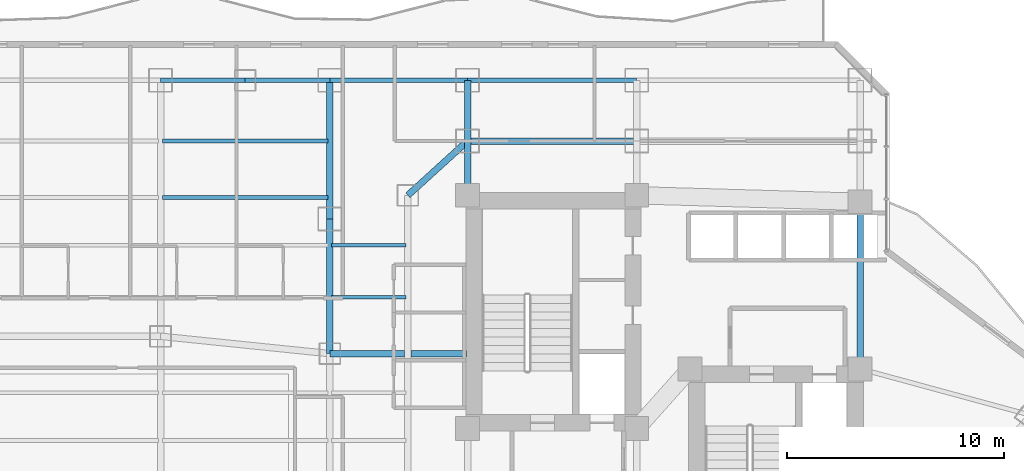
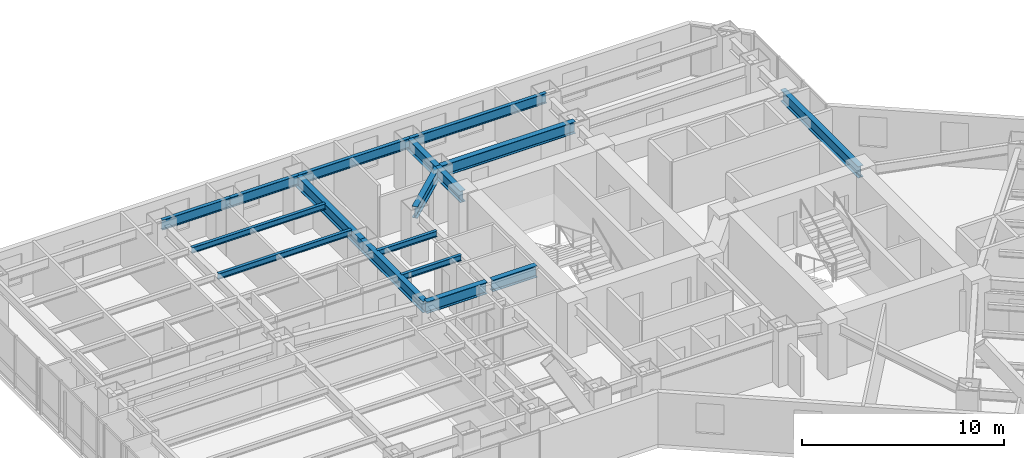
# One storey, part 17 of 33: 17 beams.
"""IFC4 building model written with IfcOpenShell, lengths in metres."""

import ifcopenshell
import ifcopenshell.guid

model = None  # the IFC model being written
_history = None  # IfcOwnerHistory: only IFC2X3 demands one
_inside = {}  # id of a spatial element -> (the spatial element, [elements in it])
_under = {}  # id of a project, library or spatial element -> (it, [spatial elements below it])
_declared = {}  # id of a project -> (the project, [libraries it declares])
_typed = {}  # id of a type object -> (the type object, [elements of that type])
_made_of = {}  # id of a material, layer set ... -> (it, [elements and type objects made of it])


def new_model(schema):
    """Start an empty IFC model of exactly this schema.

    Asked for "IFC4X3", IfcOpenShell would pick the latest addendum, in which some entities
    have other attributes; the version numbers below select the first issue.
    IFC2X3 requires an IfcOwnerHistory on every rooted entity: one is made here for all.
    """
    global model, _history
    if schema == "IFC4X3":
        model = ifcopenshell.file(schema_version=(4, 3, 0, 0))
    else:
        model = ifcopenshell.file(schema=schema)
    _inside.clear()
    _under.clear()
    _declared.clear()
    _typed.clear()
    _made_of.clear()
    _history = None
    if model.schema == "IFC2X3":
        org = make("IfcOrganization", Name="unknown")
        user = make(
            "IfcPersonAndOrganization",
            ThePerson=make("IfcPerson", FamilyName="unknown"),
            TheOrganization=org,
        )
        app = make(
            "IfcApplication",
            ApplicationDeveloper=org,
            Version="unknown",
            ApplicationFullName="unknown",
            ApplicationIdentifier="unknown",
        )
        _history = make(
            "IfcOwnerHistory",
            OwningUser=user,
            OwningApplication=app,
            ChangeAction="ADDED",
            CreationDate=0,
        )
    return model


def make(cls, **values):
    """One entity of the class cls with the attributes given. An attribute that is None is left unset."""
    return model.create_entity(
        cls, **{name: value for name, value in values.items() if value is not None}
    )


def rooted(cls, **values):
    """An entity with a GlobalId (a new one), such as an element, a storey or a relation."""
    return make(cls, GlobalId=ifcopenshell.guid.new(), OwnerHistory=_history, **values)


def si_unit(unit_type, name, prefix=None):
    """IfcSIUnit, for example si_unit("LENGTHUNIT", "METRE", prefix="MILLI")."""
    return make("IfcSIUnit", UnitType=unit_type, Prefix=prefix, Name=name)


def assignment(units):
    """IfcUnitAssignment: the units of a project."""
    return None if units is None else make("IfcUnitAssignment", Units=units)


def point(xyz):
    """IfcCartesianPoint."""
    return None if xyz is None else make("IfcCartesianPoint", Coordinates=xyz)


def direction(xyz):
    """IfcDirection."""
    return None if xyz is None else make("IfcDirection", DirectionRatios=xyz)


def frame(location, z_axis=None, x_axis=None):
    """IfcAxis2Placement3D, a coordinate frame: its origin and axes. An axis left out is left unset."""
    return make(
        "IfcAxis2Placement3D",
        Location=point(location),
        Axis=direction(z_axis),
        RefDirection=direction(x_axis),
    )


def frame_2d(location, x_axis=None):
    """IfcAxis2Placement2D, a coordinate frame in the plane: its origin and x axis."""
    return make(
        "IfcAxis2Placement2D", Location=point(location), RefDirection=direction(x_axis)
    )


def origin():
    """The frame at (0, 0, 0) with its axes left unset."""
    return frame((0.0, 0.0, 0.0))


def origin_2d():
    """The frame at (0, 0) in the plane with its x axis left unset."""
    return frame_2d((0.0, 0.0))


def place(relative_to, where):
    """IfcLocalPlacement: puts the frame where relative to a parent placement (None: the world)."""
    return make(
        "IfcLocalPlacement", PlacementRelTo=relative_to, RelativePlacement=where
    )


def context(
    kind, dimensions, precision=None, world=None, true_north=None, identifier=None
):
    """IfcGeometricRepresentationContext, for example the 3D "Model" context."""
    return make(
        "IfcGeometricRepresentationContext",
        ContextIdentifier=identifier,
        ContextType=kind,
        CoordinateSpaceDimension=dimensions,
        Precision=precision,
        WorldCoordinateSystem=world,
        TrueNorth=true_north,
    )


def subcontext(parent, identifier, kind, view, scale=None):
    """IfcGeometricRepresentationSubContext, for example "Body" below "Model"."""
    return make(
        "IfcGeometricRepresentationSubContext",
        ContextIdentifier=identifier,
        ContextType=kind,
        ParentContext=parent,
        TargetScale=scale,
        TargetView=view,
    )


def project(units=None, contexts=None):
    """IfcProject with its units and contexts."""
    return rooted(
        "IfcProject",
        Name="project",
        RepresentationContexts=contexts,
        UnitsInContext=assignment(units),
    )


def spatial(cls, under=None, at=None, **own):
    """A site, building, storey or space (cls), placed at a placement, below another one or the project."""
    s = rooted(cls, ObjectPlacement=at, **own)
    if under is not None:
        _under.setdefault(under.id(), (under, []))[1].append(s)
    return s


def profile(cls, at=None, kind="AREA", **sizes):
    """A parametric profile (cls). Its sizes go by their IFC names, for example OverallWidth=200.0."""
    return make(cls, ProfileType=kind, Position=at, **sizes)


def i_section(**sizes):
    """IfcIShapeProfileDef."""
    return profile("IfcIShapeProfileDef", **sizes)


def extrude(swept, where, along, depth):
    """IfcExtrudedAreaSolid: the profile swept, set in the frame where, extruded along a direction by depth."""
    return make(
        "IfcExtrudedAreaSolid",
        SweptArea=swept,
        Position=where,
        ExtrudedDirection=direction(along),
        Depth=depth,
    )


def shape(context_of_items, identifier, shape_type, items):
    """IfcShapeRepresentation: the items that make up one representation, for example the "Body"."""
    return make(
        "IfcShapeRepresentation",
        ContextOfItems=context_of_items,
        RepresentationIdentifier=identifier,
        RepresentationType=shape_type,
        Items=items,
    )


def material(Name=None, Category=None):
    """IfcMaterial."""
    return make("IfcMaterial", Name=Name, Category=Category)


def material_profile(
    of_material, cross_section, Name=None, Category=None, Priority=None
):
    """IfcMaterialProfile: a cross section and its material."""
    return make(
        "IfcMaterialProfile",
        Name=Name,
        Material=of_material,
        Profile=cross_section,
        Priority=Priority,
        Category=Category,
    )


def profile_set(profiles, Name=None, composite=None):
    """IfcMaterialProfileSet."""
    return make(
        "IfcMaterialProfileSet",
        Name=Name,
        MaterialProfiles=profiles,
        CompositeProfile=composite,
    )


def made_of(thing, what):
    """Note that an element or type object is made of a material, layer set ...; save() writes the relation."""
    if what is not None:
        _made_of.setdefault(what.id(), (what, []))[1].append(thing)
    return thing


def type_object(cls, material=None, **own):
    """A type object (cls), such as IfcWallType, which elements share."""
    return made_of(rooted(cls, **own), material)


def element(
    cls,
    number,
    at=None,
    inside=None,
    cuts=None,
    type_object=None,
    material=None,
    context=None,
    identifier="Body",
    shape_type=None,
    held_by="IfcProductDefinitionShape",
    body=None,
    shapes=None,
    **own,
):
    """One element of the class cls, such as IfcWall. Its Tag is "e" and its number.

    at: its placement. inside: the storey or other place that contains it. cuts: it is an
    opening in that element (IfcRelVoidsElement). A single representation is given by context,
    identifier, shape_type and body (its items); several are given by shapes. held_by: the class
    of the entity that holds the representations. save() writes the other relations.
    """
    e = rooted(cls, Tag="e%d" % number, ObjectPlacement=at, **own)
    if body is not None:
        shapes = [shape(context, identifier, shape_type, body)]
    if shapes is not None:
        e.Representation = make(held_by, Representations=shapes)
    if inside is not None:
        _inside.setdefault(inside.id(), (inside, []))[1].append(e)
    if cuts is not None:
        rooted(
            "IfcRelVoidsElement", RelatingBuildingElement=cuts, RelatedOpeningElement=e
        )
    if type_object is not None:
        _typed.setdefault(type_object.id(), (type_object, []))[1].append(e)
    return made_of(e, material)


def aggregate(whole, parts):
    """IfcRelAggregates: a whole, such as a stair, and the parts it consists of."""
    return rooted("IfcRelAggregates", RelatingObject=whole, RelatedObjects=parts)


def save(model, path):
    """Write the relations noted so far, then the file.

    IfcRelAggregates (storeys below a building ...), IfcRelContainedInSpatialStructure (elements
    in a storey), IfcRelDefinesByType, IfcRelAssociatesMaterial and IfcRelDeclares: one each for
    every whole, place, type object, material and project.
    """
    for whole, parts in _under.values():
        aggregate(whole, parts)
    for where, things in _inside.values():
        rooted(
            "IfcRelContainedInSpatialStructure",
            RelatedElements=things,
            RelatingStructure=where,
        )
    for kind, things in _typed.values():
        rooted("IfcRelDefinesByType", RelatedObjects=things, RelatingType=kind)
    for what, things in _made_of.values():
        rooted("IfcRelAssociatesMaterial", RelatedObjects=things, RelatingMaterial=what)
    for by, libraries in _declared.values():
        rooted("IfcRelDeclares", RelatingContext=by, RelatedDefinitions=libraries)
    model.write(path)


model = new_model("IFC4")

# Units and contexts
model_context = context("Model", 3, precision=1e-05, world=origin(), true_north=direction((0.0, 1.0)))
body_context = subcontext(model_context, "Body", "Model", "MODEL_VIEW")
ifc_project = project(units=[si_unit("LENGTHUNIT", "METRE"), si_unit("AREAUNIT", "SQUARE_METRE"), si_unit("VOLUMEUNIT", "CUBIC_METRE"), si_unit("PLANEANGLEUNIT", "RADIAN"), si_unit("MASSUNIT", "GRAM", prefix="KILO")], contexts=[model_context])

# Site, building, storey
site_placement = place(None, origin())
site = spatial("IfcSite", under=ifc_project, at=site_placement, CompositionType="ELEMENT")
building_placement = place(site_placement, origin())
building = spatial("IfcBuilding", under=site, at=building_placement, Name="Hatsunagi Terrace Concourse", CompositionType="ELEMENT")
storey_placement = place(building_placement, frame((0.0, 0.0, 56.699951171875)))
storey = spatial("IfcBuildingStorey", under=building, at=storey_placement, Name="L14", CompositionType="ELEMENT", Elevation=56.699951171875)

# Beams
ifc_material_1 = material(Name="Steel SN490B", Category="steel")
ifc_material_profile_1 = material_profile(ifc_material_1, i_section(OverallWidth=0.300048828125, OverallDepth=0.699951171875, WebThickness=0.012939453125, FlangeThickness=0.02392578125, FilletRadius=0.02197265625, at=origin_2d()), Name="H-700x300x13x24")
ifc_profile_set_1 = profile_set([ifc_material_profile_1], Name="Steel SN490B")
beam_type_1 = type_object("IfcBeamType", Name="HotelFloorGirder_H_700x300", PredefinedType="BEAM", material=ifc_profile_set_1)
beam_1_placement = place(storey_placement, frame((43.64990234375, 35.300048828125, 2.780029296875), z_axis=(0.0, 1.0, 0.0), x_axis=(-1.0, 0.0, 0.0)))
element("IfcBeam", 1, at=beam_1_placement, inside=storey, type_object=beam_type_1, Name="Beam G-04 BM-L14-CBK3", PredefinedType="BEAM", context=body_context, shape_type="SweptSolid", body=[
    extrude(i_section(OverallWidth=0.300048828125, OverallDepth=0.699951171875, WebThickness=0.012939453125, FlangeThickness=0.02392578125, FilletRadius=0.02197265625, at=origin_2d()), origin(), (0.0, 0.0, 1.0), 7.699951171875),
])
beam_2_placement = place(storey_placement, frame((25.550048828125, 43.300048828125, 2.780029296875), z_axis=(0.0, 1.0, 0.0), x_axis=(-1.0, 0.0, 0.0)))
element("IfcBeam", 2, at=beam_2_placement, inside=storey, type_object=beam_type_1, Name="Beam G-04 BM-L14-CN1", PredefinedType="BEAM", context=body_context, shape_type="SweptSolid", body=[
    extrude(i_section(OverallWidth=0.300048828125, OverallDepth=0.699951171875, WebThickness=0.012939453125, FlangeThickness=0.02392578125, FilletRadius=0.02197265625, at=origin_2d()), origin(), (0.0, 0.0, 1.0), 2.5),
])
beam_3_placement = place(storey_placement, frame((25.550048828125, 45.800048828125, 2.780029296875), z_axis=(1.0, 0.0, 0.0), x_axis=(0.0, 1.0, 0.0)))
element("IfcBeam", 3, at=beam_3_placement, inside=storey, type_object=beam_type_1, Name="Beam G-04 BM-L14-CNEW1", PredefinedType="BEAM", context=body_context, shape_type="SweptSolid", body=[
    extrude(i_section(OverallWidth=0.300048828125, OverallDepth=0.699951171875, WebThickness=0.012939453125, FlangeThickness=0.02392578125, FilletRadius=0.02197265625, at=origin_2d()), origin(), (0.0, 0.0, 1.0), 7.800048828125),
])
beam_4_placement = place(storey_placement, frame((25.550048828125, 45.800048828125, 2.780029296875), z_axis=(0.0, 1.0, 0.0), x_axis=(-1.0, 0.0, 0.0)))
element("IfcBeam", 4, at=beam_4_placement, inside=storey, type_object=beam_type_1, Name="Beam G-04 BM-L14-KN-WN4", PredefinedType="BEAM", context=body_context, shape_type="SweptSolid", body=[
    extrude(i_section(OverallWidth=0.300048828125, OverallDepth=0.699951171875, WebThickness=0.012939453125, FlangeThickness=0.02392578125, FilletRadius=0.02197265625, at=origin_2d()), origin(), (0.0, 0.0, 1.0), 2.800048828125),
])
beam_5_placement = place(storey_placement, frame((22.800048828125, 43.300048828125, 2.780029296875), z_axis=(0.739940073396, 0.672672793996, 0.0), x_axis=(-0.672672793996, 0.739940073396, 0.0)))
element("IfcBeam", 5, at=beam_5_placement, inside=storey, type_object=beam_type_1, Name="Beam G-04 BM-L14-CWEW-N", PredefinedType="BEAM", context=body_context, shape_type="SweptSolid", body=[
    extrude(i_section(OverallWidth=0.300048828125, OverallDepth=0.699951171875, WebThickness=0.012939453125, FlangeThickness=0.02392578125, FilletRadius=0.02197265625, at=origin_2d()), origin(), (0.0, 0.0, 1.0), 3.716552734375),
])
beam_6_placement = place(storey_placement, frame((19.199951171875, 36.0, 2.780029296875), z_axis=(0.0, 1.0, 0.0), x_axis=(-1.0, 0.0, 0.0)))
element("IfcBeam", 6, at=beam_6_placement, inside=storey, type_object=beam_type_1, Name="Beam G-04 BM-L14-NS-19-36", PredefinedType="BEAM", context=body_context, shape_type="SweptSolid", body=[
    extrude(i_section(OverallWidth=0.300048828125, OverallDepth=0.699951171875, WebThickness=0.012939453125, FlangeThickness=0.02392578125, FilletRadius=0.02197265625, at=origin_2d()), origin(), (0.0, 0.0, 1.0), 6.199951171875),
])
beam_7_placement = place(storey_placement, frame((19.199951171875, 42.199951171875, 2.780029296875), z_axis=(0.0, 1.0, 0.0), x_axis=(-1.0, 0.0, 0.0)))
element("IfcBeam", 7, at=beam_7_placement, inside=storey, type_object=beam_type_1, Name="Beam G-04 BM-L14-NS-19-42", PredefinedType="BEAM", context=body_context, shape_type="SweptSolid", body=[
    extrude(i_section(OverallWidth=0.300048828125, OverallDepth=0.699951171875, WebThickness=0.012939453125, FlangeThickness=0.02392578125, FilletRadius=0.02197265625, at=origin_2d()), origin(), (0.0, 0.0, 1.0), 6.400146484375),
])
beam_8_placement = place(storey_placement, frame((19.199951171875, 36.0, 2.780029296875), z_axis=(1.0, 0.0, 0.0), x_axis=(0.0, 1.0, 0.0)))
element("IfcBeam", 8, at=beam_8_placement, inside=storey, type_object=beam_type_1, Name="Beam G-04 BM-L14-EW-3", PredefinedType="BEAM", context=body_context, shape_type="SweptSolid", body=[
    extrude(i_section(OverallWidth=0.300048828125, OverallDepth=0.699951171875, WebThickness=0.012939453125, FlangeThickness=0.02392578125, FilletRadius=0.02197265625, at=origin_2d()), origin(), (0.0, 0.0, 1.0), 3.449951171875),
])
beam_9_placement = place(storey_placement, frame((22.949951171875, 36.0, 2.780029296875), z_axis=(1.0, 0.0, 0.0), x_axis=(0.0, 1.0, 0.0)))
element("IfcBeam", 9, at=beam_9_placement, inside=storey, type_object=beam_type_1, Name="Beam G-04 BM-L14-EW-4", PredefinedType="BEAM", context=body_context, shape_type="SweptSolid", body=[
    extrude(i_section(OverallWidth=0.300048828125, OverallDepth=0.699951171875, WebThickness=0.012939453125, FlangeThickness=0.02392578125, FilletRadius=0.02197265625, at=origin_2d()), origin(), (0.0, 0.0, 1.0), 2.56005859375),
])
ifc_material_2 = material(Name="Steel SN490B", Category="steel")
ifc_material_profile_2 = material_profile(ifc_material_2, i_section(OverallWidth=0.175048828125, OverallDepth=0.35009765625, WebThickness=0.007080078125, FlangeThickness=0.010986328125, FilletRadius=0.012939453125, at=origin_2d()), Name="H-350x175x7x11")
ifc_profile_set_2 = profile_set([ifc_material_profile_2], Name="Steel SN490B")
beam_type_2 = type_object("IfcBeamType", Name="HotelJoist_H_350x175", PredefinedType="JOIST", material=ifc_profile_set_2)
for number, where, z_axis, x_axis, name in (
    (10, (19.284912109375, 38.60009765625, 2.955078125), (1.0, 0.0, 0.0), (0.0, 1.0, 0.0), "Beam J-02 J-L14-W-19-386"),
    (11, (19.284912109375, 41.0, 2.955078125), (1.0, 0.0, 0.0), (0.0, 1.0, 0.0), "Beam J-02 J-L14-W-19-410"),
):
    element("IfcBeam", number, at=place(storey_placement, frame(where, z_axis=z_axis, x_axis=x_axis)), inside=storey, type_object=beam_type_2, Name=name, PredefinedType="JOIST", context=body_context, shape_type="SweptSolid", body=[
        extrude(i_section(OverallWidth=0.175048828125, OverallDepth=0.35009765625, WebThickness=0.007080078125, FlangeThickness=0.010986328125, FilletRadius=0.012939453125, at=origin_2d()), origin(), (0.0, 0.0, 1.0), 3.43017578125),
    ])
for number, where, z_axis, x_axis, name in (
    (12, (11.485107421875, 43.199951171875, 2.955078125), (1.0, 0.0, 0.0), (0.0, 1.0, 0.0), "Beam J-02 J-L14-W-11-432"),
    (13, (11.485107421875, 45.800048828125, 2.955078125), (1.0, 0.0, 0.0), (0.0, 1.0, 0.0), "Beam J-02 J-L14-W-11-458"),
):
    element("IfcBeam", number, at=place(storey_placement, frame(where, z_axis=z_axis, x_axis=x_axis)), inside=storey, type_object=beam_type_2, Name=name, PredefinedType="JOIST", context=body_context, shape_type="SweptSolid", body=[
        extrude(i_section(OverallWidth=0.175048828125, OverallDepth=0.35009765625, WebThickness=0.007080078125, FlangeThickness=0.010986328125, FilletRadius=0.012939453125, at=origin_2d()), origin(), (0.0, 0.0, 1.0), 7.6298828125),
    ])
ifc_material_3 = material(Name="Steel SN490B", Category="steel")
ifc_material_profile_3 = material_profile(ifc_material_3, i_section(OverallWidth=0.199951171875, OverallDepth=0.60009765625, WebThickness=0.010986328125, FlangeThickness=0.01708984375, FilletRadius=0.01806640625, at=origin_2d()), Name="H-600x200x11x17")
ifc_profile_set_3 = profile_set([ifc_material_profile_3], Name="Steel SN490B")
beam_type_3 = type_object("IfcBeamType", Name="PerimeterSpandrel_H_600x200", PredefinedType="SPANDREL", material=ifc_profile_set_3)
beam_10_placement = place(storey_placement, frame((11.39990234375, 48.60009765625, 2.830078125), z_axis=(1.0, 0.0, 0.0), x_axis=(0.0, 1.0, 0.0)))
element("IfcBeam", 14, at=beam_10_placement, inside=storey, type_object=beam_type_3, Name="Beam SP-01 BM-L14-WN-11", PredefinedType="SPANDREL", context=body_context, shape_type="SweptSolid", body=[
    extrude(i_section(OverallWidth=0.199951171875, OverallDepth=0.60009765625, WebThickness=0.010986328125, FlangeThickness=0.01708984375, FilletRadius=0.01806640625, at=origin_2d()), origin(), (0.0, 0.0, 1.0), 3.900146484375),
])
beam_11_placement = place(storey_placement, frame((15.300048828125, 48.60009765625, 2.830078125), z_axis=(1.0, 0.0, 0.0), x_axis=(0.0, 1.0, 0.0)))
element("IfcBeam", 15, at=beam_11_placement, inside=storey, type_object=beam_type_3, Name="Beam SP-01 BM-L14-WN-15", PredefinedType="SPANDREL", context=body_context, shape_type="SweptSolid", body=[
    extrude(i_section(OverallWidth=0.199951171875, OverallDepth=0.60009765625, WebThickness=0.010986328125, FlangeThickness=0.01708984375, FilletRadius=0.01806640625, at=origin_2d()), origin(), (0.0, 0.0, 1.0), 3.89990234375),
])
beam_12_placement = place(storey_placement, frame((19.199951171875, 48.60009765625, 2.830078125), z_axis=(1.0, 0.0, 0.0), x_axis=(0.0, 1.0, 0.0)))
element("IfcBeam", 16, at=beam_12_placement, inside=storey, type_object=beam_type_3, Name="Beam SP-01 BM-L14-WN-19", PredefinedType="SPANDREL", context=body_context, shape_type="SweptSolid", body=[
    extrude(i_section(OverallWidth=0.199951171875, OverallDepth=0.60009765625, WebThickness=0.010986328125, FlangeThickness=0.01708984375, FilletRadius=0.01806640625, at=origin_2d()), origin(), (0.0, 0.0, 1.0), 6.35009765625),
])
beam_13_placement = place(storey_placement, frame((25.550048828125, 48.60009765625, 2.830078125), z_axis=(1.0, 0.0, 0.0), x_axis=(0.0, 1.0, 0.0)))
element("IfcBeam", 17, at=beam_13_placement, inside=storey, type_object=beam_type_3, Name="Beam SP-01 BM-L14-WN-25", PredefinedType="SPANDREL", context=body_context, shape_type="SweptSolid", body=[
    extrude(i_section(OverallWidth=0.199951171875, OverallDepth=0.60009765625, WebThickness=0.010986328125, FlangeThickness=0.01708984375, FilletRadius=0.01806640625, at=origin_2d()), origin(), (0.0, 0.0, 1.0), 7.800048828125),
])

save(model, "model.ifc")
